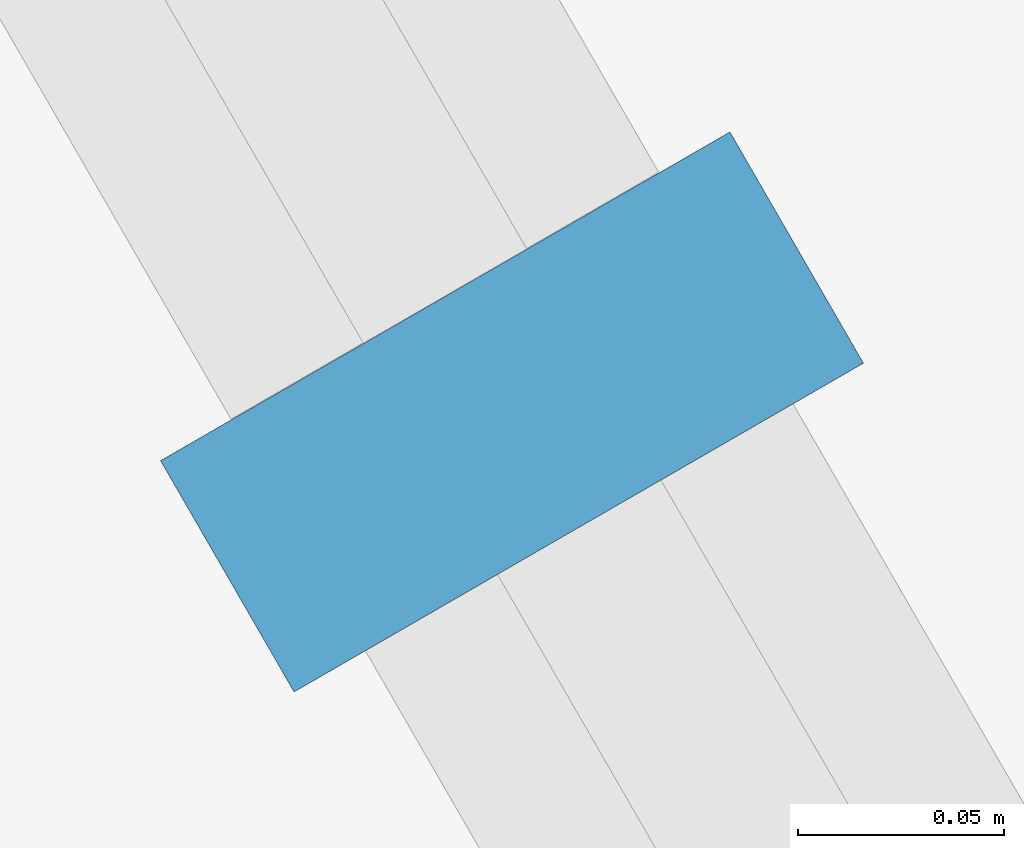
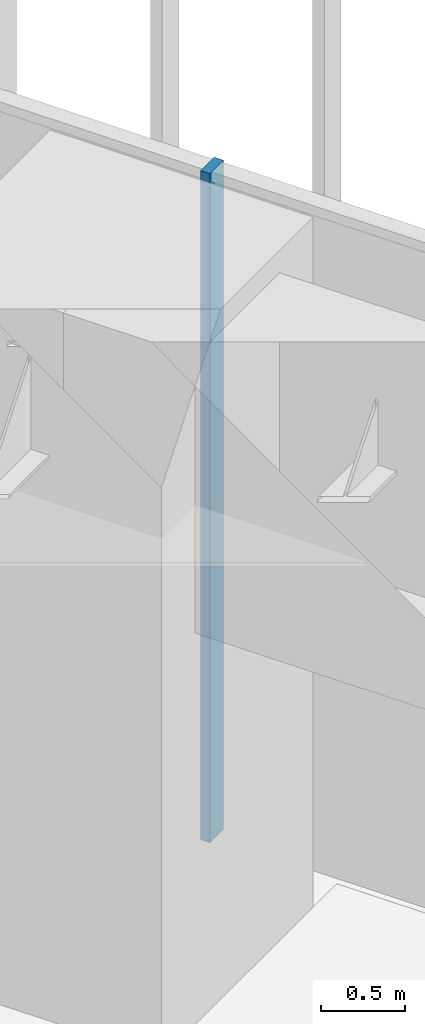
# One storey, part 191 of 228: 1 member, 1 element without a shape of its own.
"""IFC4 building model written with IfcOpenShell, lengths in metres."""

from ifc_helpers import new_model, si_unit, direction, frame, origin, origin_2d, place, context, subcontext, project, spatial, rectangle, extrude, material, material_profile, profile_set, type_object, element, aggregate, save


model = new_model("IFC4")

# Units and contexts
model_context = context("Model", 3, precision=1e-05, world=origin(), true_north=direction((0.0, 1.0)))
body_context = subcontext(model_context, "Body", "Model", "MODEL_VIEW")
ifc_project = project(units=[si_unit("LENGTHUNIT", "METRE"), si_unit("AREAUNIT", "SQUARE_METRE"), si_unit("VOLUMEUNIT", "CUBIC_METRE"), si_unit("PLANEANGLEUNIT", "RADIAN"), si_unit("MASSUNIT", "GRAM", prefix="KILO")], contexts=[model_context])

# Site, building, storey
site_placement = place(None, origin())
site = spatial("IfcSite", under=ifc_project, at=site_placement, CompositionType="ELEMENT")
building_placement = place(site_placement, origin())
building = spatial("IfcBuilding", under=site, at=building_placement, Name="Sandreach Pilgrim Tower", CompositionType="ELEMENT")
storey_placement = place(building_placement, frame((0.0, 0.0, 178.199951171875)))
storey = spatial("IfcBuildingStorey", under=building, at=storey_placement, Name="L44", CompositionType="ELEMENT", Elevation=178.199951171875)

# Curtain wall, member
ifc_material_1 = material(Name="Aluminium framed curtain wall", Category="aluminium")
curtain_wall_type = type_object("IfcCurtainWallType", Name="Upper hotel tower curtain wall", PredefinedType="NOTDEFINED", material=ifc_material_1)
curtain_wall_placement = place(storey_placement, origin())
curtain_wall = element("IfcCurtainWall", 1, at=curtain_wall_placement, inside=storey, type_object=curtain_wall_type, Name="CW-3 L44 NE", PredefinedType="NOTDEFINED")
ifc_material_2 = material(Name="Aluminium extrusion", Category="aluminium")
ifc_material_profile = material_profile(ifc_material_2, rectangle(XDim=0.06494140625, YDim=0.159912109375, at=origin_2d()), Name="CW-3M 65X160")
ifc_profile_set = profile_set([ifc_material_profile], Name="Aluminium extrusion")
member_type = type_object("IfcMemberType", Name="CW-3 mullion", PredefinedType="MULLION", material=ifc_profile_set)
member_placement = place(storey_placement, frame((22.971435546875, 13.262451171875, 0.0), z_axis=(0.0, 0.0, 1.0), x_axis=(0.5, -0.866025403784, 0.0)))
member = element("IfcMember", 2, at=member_placement, type_object=member_type, Name="CW-3 mullion 3", PredefinedType="MULLION", context=body_context, shape_type="SweptSolid", body=[
    extrude(rectangle(XDim=0.06494140625, YDim=0.159912109375, at=origin_2d()), origin(), (0.0, 0.0, 1.0), 4.840087890625),
])
aggregate(curtain_wall, [member])

save(model, "model.ifc")
